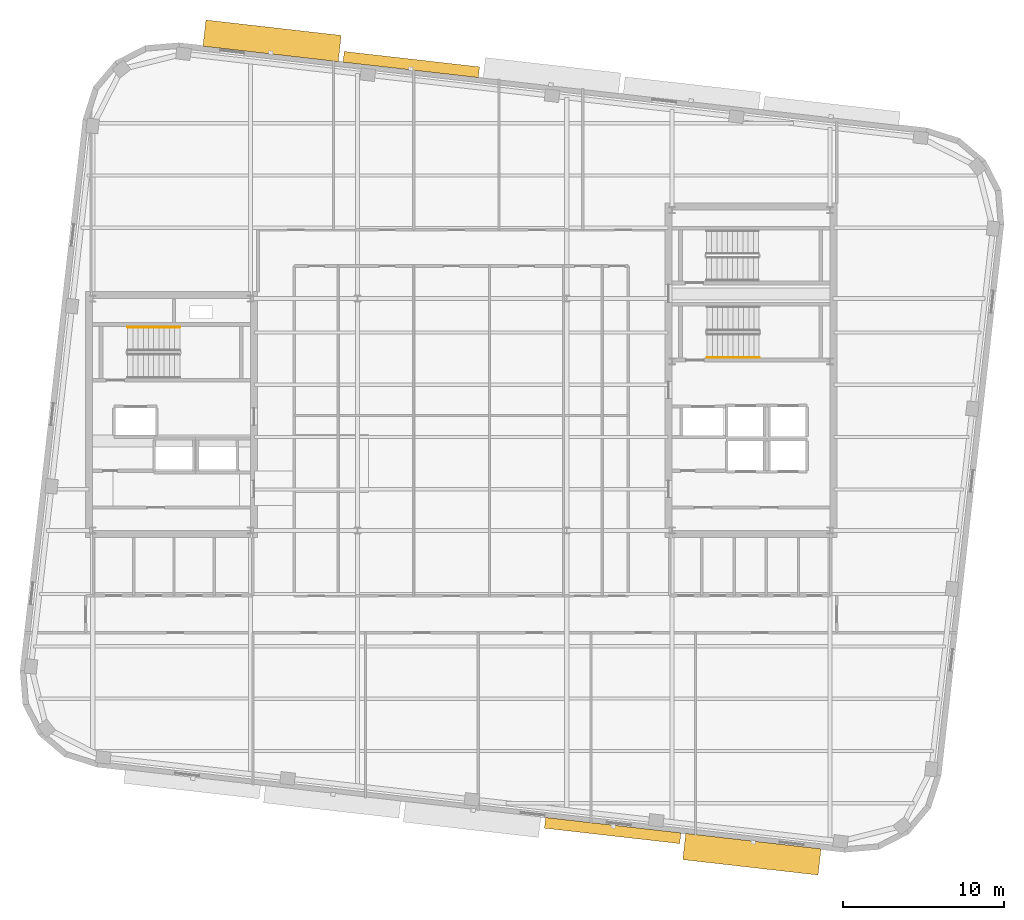
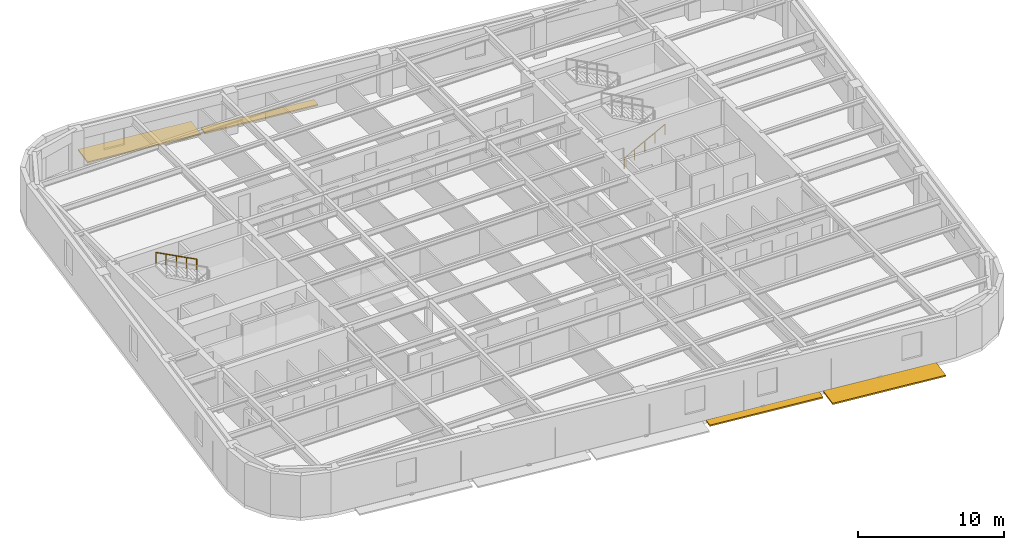
# One storey, part 12 of 13: 4 shading devices, 2 railings.
"""IFC4 building model written with IfcOpenShell, lengths in metres."""

from ifc_helpers import new_model, si_unit, direction, frame, origin, origin_2d, place, context, subcontext, project, spatial, rectangle, circle, extrude, material, type_object, element, save


model = new_model("IFC4")

# Units and contexts
model_context = context("Model", 3, precision=1e-05, world=origin(), true_north=direction((0.0, 1.0)))
body_context = subcontext(model_context, "Body", "Model", "MODEL_VIEW")
ifc_project = project(units=[si_unit("LENGTHUNIT", "METRE"), si_unit("AREAUNIT", "SQUARE_METRE"), si_unit("VOLUMEUNIT", "CUBIC_METRE"), si_unit("PLANEANGLEUNIT", "RADIAN"), si_unit("MASSUNIT", "GRAM", prefix="KILO")], contexts=[model_context])

# Site, building, storey
site_placement = place(None, origin())
site = spatial("IfcSite", under=ifc_project, at=site_placement, CompositionType="ELEMENT")
building_placement = place(site_placement, origin())
building = spatial("IfcBuilding", under=site, at=building_placement, Name="Kolvaren Arena Tower", CompositionType="ELEMENT")
storey_placement = place(building_placement, frame((0.0, 0.0, 232.199951171875)))
storey = spatial("IfcBuildingStorey", under=building, at=storey_placement, Name="L56", CompositionType="ELEMENT", Elevation=232.199951171875)

# Railings
ifc_material_1 = material(Name="Brushed stainless steel handrail", Category="steel")
railing_type = type_object("IfcRailingType", Name="HRAIL-900", PredefinedType="HANDRAIL", material=ifc_material_1)
railing_1_placement = place(storey_placement, frame((19.9599609375, 32.080078125, 2.04541015625)))
element("IfcRailing", 1, at=railing_1_placement, inside=storey, type_object=railing_type, Name="L56 ST-W1 stair handrail 2", PredefinedType="HANDRAIL", context=body_context, shape_type="SweptSolid", body=[
    extrude(circle(Radius=0.02392578125, at=origin_2d()), frame((0.0, 0.0, 0.8759765625), z_axis=(-0.884993431791, 0.0, 0.465603506952), x_axis=(0.0, -1.0, 0.0)), (0.0, 0.0, 1.0), 3.6611328125),
    extrude(circle(Radius=0.02099609375, at=origin_2d()), origin(), (0.0, 0.0, 1.0), 0.851806640625),
    extrude(circle(Radius=0.02099609375, at=origin_2d()), frame((-0.81005859375, 0.0, 0.42626953125)), (0.0, 0.0, 1.0), 0.851806640625),
    extrude(circle(Radius=0.02099609375, at=origin_2d()), frame((-1.6201171875, 0.0, 0.852294921875)), (0.0, 0.0, 1.0), 0.851806640625),
    extrude(circle(Radius=0.02099609375, at=origin_2d()), frame((-2.429931640625, 0.0, 1.2783203125)), (0.0, 0.0, 1.0), 0.851806640625),
    extrude(circle(Radius=0.02099609375, at=origin_2d()), frame((-3.239990234375, 0.0, 1.70458984375)), (0.0, 0.0, 1.0), 0.851806640625),
])
railing_2_placement = place(storey_placement, frame((52.719970703125, 30.199951171875, 0.17041015625)))
element("IfcRailing", 2, at=railing_2_placement, inside=storey, type_object=railing_type, Name="L56 ST-E1 stair handrail 1", PredefinedType="HANDRAIL", context=body_context, shape_type="SweptSolid", body=[
    extrude(circle(Radius=0.02392578125, at=origin_2d()), frame((0.0, 0.0, 0.8759765625), z_axis=(0.884993431791, 0.0, 0.465603506952), x_axis=(0.0, 1.0, 0.0)), (0.0, 0.0, 1.0), 3.6611328125),
    extrude(circle(Radius=0.02099609375, at=origin_2d()), origin(), (0.0, 0.0, 1.0), 0.851806640625),
    extrude(circle(Radius=0.02099609375, at=origin_2d()), frame((0.81005859375, 0.0, 0.42626953125)), (0.0, 0.0, 1.0), 0.851806640625),
    extrude(circle(Radius=0.02099609375, at=origin_2d()), frame((1.6201171875, 0.0, 0.852294921875)), (0.0, 0.0, 1.0), 0.851806640625),
    extrude(circle(Radius=0.02099609375, at=origin_2d()), frame((2.429931640625, 0.0, 1.2783203125)), (0.0, 0.0, 1.0), 0.851806640625),
    extrude(circle(Radius=0.02099609375, at=origin_2d()), frame((3.239990234375, 0.0, 1.70458984375)), (0.0, 0.0, 1.0), 0.851806640625),
])

# Shading devices
ifc_material_2 = material(Name="Architectural precast GFRC and anodised aluminium sunshade", Category="concrete")
shading_device_type_1 = type_object("IfcShadingDeviceType", Name="SHAD-SINE-A", PredefinedType="USERDEFINED", material=ifc_material_2)
for number, where, z_axis, x_axis, name in (
    (3, (34.343505859375, 48.39599609375, -0.139892578125), (0.0, 0.0, 1.0), (0.993571658098, -0.113204947878, 0.0), "Sinusoidal Slab-Edge Sunshade Louvre (L56)"),
    (4, (46.8564453125, 0.803955078125, -0.139892578125), (0.0, 0.0, 1.0), (-0.993571658098, 0.113204947878, 0.0), "Sinusoidal Slab-Edge Sunshade Louvre (L56)"),
):
    element("IfcShadingDevice", number, at=place(storey_placement, frame(where, z_axis=z_axis, x_axis=x_axis)), inside=storey, type_object=shading_device_type_1, Name=name, ObjectType="LOUVRE", PredefinedType="USERDEFINED", context=body_context, shape_type="SweptSolid", body=[
        extrude(rectangle(XDim=8.4599609375, YDim=0.669921875, at=origin_2d()), origin(), (0.0, 0.0, 1.0), 0.1201171875),
    ])
shading_device_type_2 = type_object("IfcShadingDeviceType", Name="SHAD-SINE-B", PredefinedType="JALOUSIE", material=ifc_material_2)
for number, where, z_axis, x_axis, name in (
    (5, (25.69482421875, 49.869384765625, -0.139892578125), (0.0, 0.0, 1.0), (0.993571658098, -0.113204947878, 0.0), "Sinusoidal Slab-Edge Sunshade Louvre (L56)"),
    (6, (55.505126953125, -0.669189453125, -0.139892578125), (0.0, 0.0, 1.0), (-0.993571658098, 0.113204947878, 0.0), "Sinusoidal Slab-Edge Sunshade Louvre (L56)"),
):
    element("IfcShadingDevice", number, at=place(storey_placement, frame(where, z_axis=z_axis, x_axis=x_axis)), inside=storey, type_object=shading_device_type_2, Name=name, PredefinedType="JALOUSIE", context=body_context, shape_type="SweptSolid", body=[
        extrude(rectangle(XDim=8.4599609375, YDim=1.638916015625, at=origin_2d()), origin(), (0.0, 0.0, 1.0), 0.1201171875),
    ])

save(model, "model.ifc")
